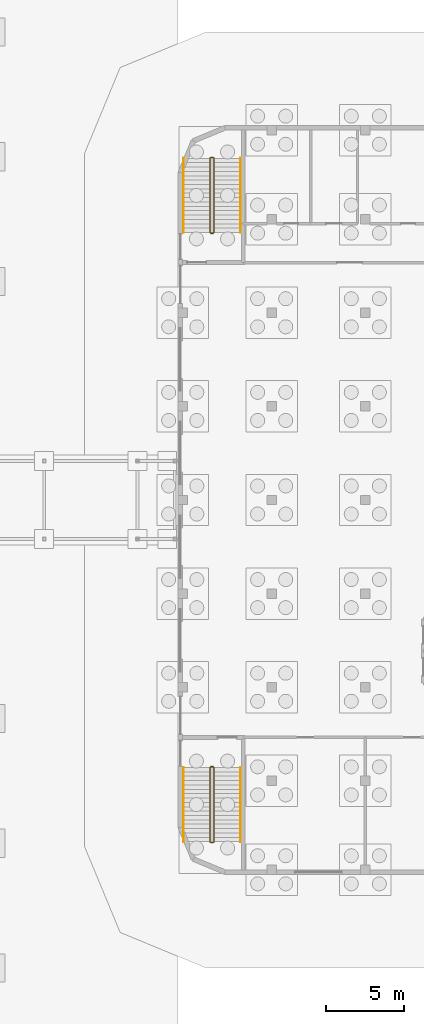
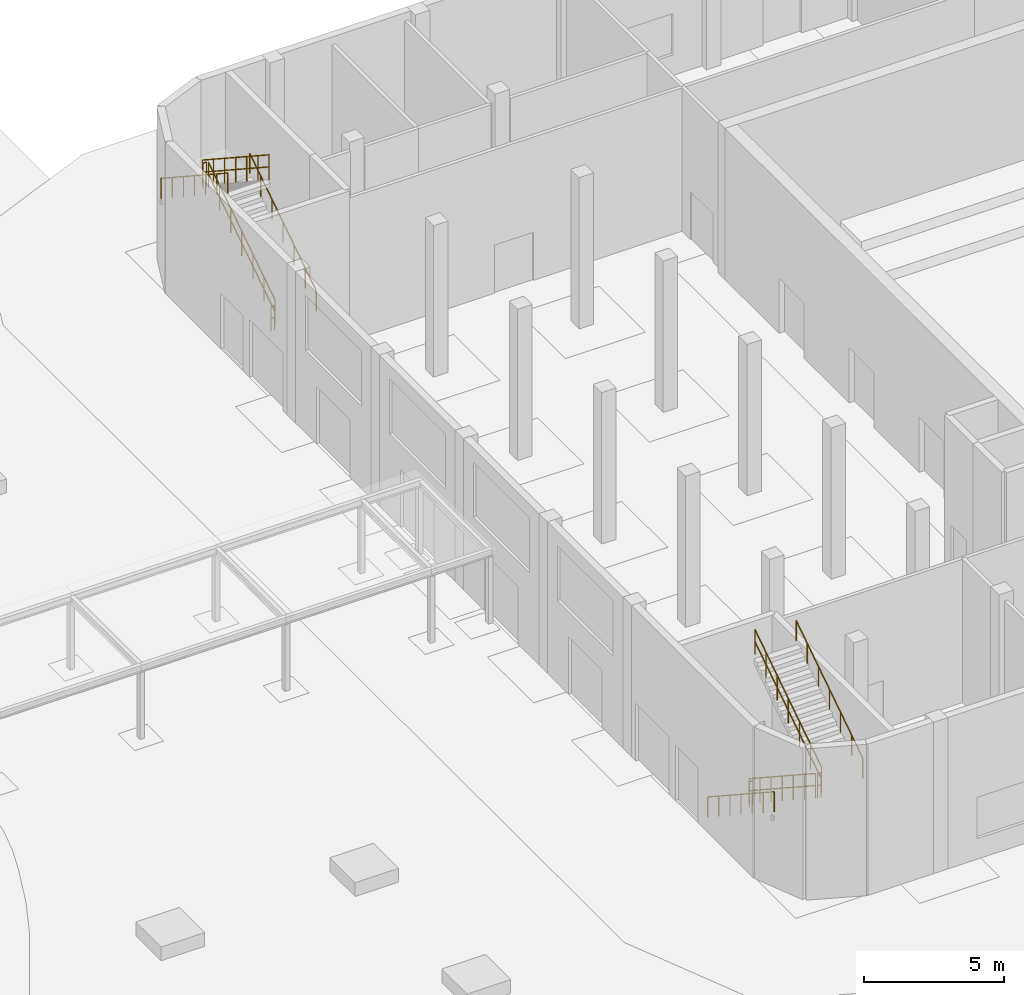
# One storey, part 42 of 44: 12 railings.
"""IFC4 building model written with IfcOpenShell, lengths in metres."""

from ifc_helpers import new_model, si_unit, direction, frame, origin, origin_2d, place, context, subcontext, project, spatial, circle, extrude, material, type_object, element, save


model = new_model("IFC4")

# Units and contexts
model_context = context("Model", 3, precision=1e-05, world=origin(), true_north=direction((0.0, 1.0)))
body_context = subcontext(model_context, "Body", "Model", "MODEL_VIEW")
ifc_project = project(units=[si_unit("LENGTHUNIT", "METRE"), si_unit("AREAUNIT", "SQUARE_METRE"), si_unit("VOLUMEUNIT", "CUBIC_METRE"), si_unit("PLANEANGLEUNIT", "RADIAN"), si_unit("MASSUNIT", "GRAM", prefix="KILO")], contexts=[model_context])

# Site, building, storey
site_placement = place(None, origin())
site = spatial("IfcSite", under=ifc_project, at=site_placement, CompositionType="ELEMENT")
building_placement = place(site_placement, origin())
building = spatial("IfcBuilding", under=site, at=building_placement, Name="Nakaniwa Court", CompositionType="ELEMENT")
storey_placement = place(building_placement, origin())
storey = spatial("IfcBuildingStorey", under=building, at=storey_placement, Name="L00", CompositionType="ELEMENT", Elevation=0.0)

# Railings
ifc_material_1 = material(Name="Black powder-coated steel flat bar balustrade S275", Category="steel")
railing_type_1 = type_object("IfcRailingType", Name="Hall guard 1100", PredefinedType="GUARDRAIL", material=ifc_material_1)
railing_1_placement = place(storey_placement, frame((154.050048828125, 62.860107421875, 0.183349609375)))
element("IfcRailing", 1, at=railing_1_placement, inside=storey, type_object=railing_type_1, Name="L00 ST-H1 stair guard 1", PredefinedType="GUARDRAIL", context=body_context, shape_type="SweptSolid", body=[
    extrude(circle(Radius=0.02392578125, at=origin_2d()), frame((0.0, 0.0, 1.076171875), z_axis=(0.0, -0.836616421643, 0.547789159291), x_axis=(1.0, 0.0, 0.0)), (0.0, 0.0, 1.0), 5.689697265625),
    extrude(circle(Radius=0.02392578125, at=origin_2d()), frame((0.0, 0.0, 0.550048828125), z_axis=(0.0, -0.836616421643, 0.547789159291), x_axis=(1.0, 0.0, 0.0)), (0.0, 0.0, 1.0), 5.689697265625),
    extrude(circle(Radius=0.02099609375, at=origin_2d()), origin(), (0.0, 0.0, 1.0), 1.052001953125),
    extrude(circle(Radius=0.02099609375, at=origin_2d()), frame((0.0, -0.79345703125, 0.51953125)), (0.0, 0.0, 1.0), 1.052001953125),
    extrude(circle(Radius=0.02099609375, at=origin_2d()), frame((0.0, -1.586669921875, 1.038818359375)), (0.0, 0.0, 1.0), 1.052001953125),
    extrude(circle(Radius=0.02099609375, at=origin_2d()), frame((0.0, -2.3798828125, 1.558349609375)), (0.0, 0.0, 1.0), 1.052001953125),
    extrude(circle(Radius=0.02099609375, at=origin_2d()), frame((0.0, -3.17333984375, 2.077880859375)), (0.0, 0.0, 1.0), 1.052001953125),
    extrude(circle(Radius=0.02099609375, at=origin_2d()), frame((0.0, -3.966796875, 2.59716796875)), (0.0, 0.0, 1.0), 1.052001953125),
    extrude(circle(Radius=0.02099609375, at=origin_2d()), frame((0.0, -4.760009765625, 3.11669921875)), (0.0, 0.0, 1.0), 1.052001953125),
])
railing_2_placement = place(storey_placement, frame((154.10009765625, 58.050048828125, 3.300048828125)))
element("IfcRailing", 2, at=railing_2_placement, inside=storey, type_object=railing_type_1, Name="L00 ST-H1 stair guard 2", PredefinedType="GUARDRAIL", context=body_context, shape_type="SweptSolid", body=[
    extrude(circle(Radius=0.02392578125, at=origin_2d()), frame((0.0, 0.0, 1.076171875), z_axis=(1.0, 0.0, 0.0), x_axis=(0.0, 1.0, 0.0)), (0.0, 0.0, 1.0), 0.14990234375),
    extrude(circle(Radius=0.02392578125, at=origin_2d()), frame((0.0, 0.0, 0.550048828125), z_axis=(1.0, 0.0, 0.0), x_axis=(0.0, 1.0, 0.0)), (0.0, 0.0, 1.0), 0.14990234375),
    extrude(circle(Radius=0.02099609375, at=origin_2d()), origin(), (0.0, 0.0, 1.0), 1.052001953125),
    extrude(circle(Radius=0.02099609375, at=origin_2d()), frame((0.14990234375, 0.0, 0.0)), (0.0, 0.0, 1.0), 1.052001953125),
])
railing_3_placement = place(storey_placement, frame((154.300048828125, 58.10009765625, 3.4833984375)))
element("IfcRailing", 3, at=railing_3_placement, inside=storey, type_object=railing_type_1, Name="L00 ST-H1 stair guard 3", PredefinedType="GUARDRAIL", context=body_context, shape_type="SweptSolid", body=[
    extrude(circle(Radius=0.02392578125, at=origin_2d()), frame((0.0, 0.0, 1.076171875), z_axis=(0.0, 0.836616421643, 0.547789159291), x_axis=(-1.0, 0.0, 0.0)), (0.0, 0.0, 1.0), 5.689697265625),
    extrude(circle(Radius=0.02392578125, at=origin_2d()), frame((0.0, 0.0, 0.550048828125), z_axis=(0.0, 0.836616421643, 0.547789159291), x_axis=(-1.0, 0.0, 0.0)), (0.0, 0.0, 1.0), 5.689697265625),
    extrude(circle(Radius=0.02099609375, at=origin_2d()), origin(), (0.0, 0.0, 1.0), 1.052001953125),
    extrude(circle(Radius=0.02099609375, at=origin_2d()), frame((0.0, 0.79345703125, 0.51953125)), (0.0, 0.0, 1.0), 1.052001953125),
    extrude(circle(Radius=0.02099609375, at=origin_2d()), frame((0.0, 1.586669921875, 1.038818359375)), (0.0, 0.0, 1.0), 1.052001953125),
    extrude(circle(Radius=0.02099609375, at=origin_2d()), frame((0.0, 2.3798828125, 1.558349609375)), (0.0, 0.0, 1.0), 1.052001953125),
    extrude(circle(Radius=0.02099609375, at=origin_2d()), frame((0.0, 3.17333984375, 2.077880859375)), (0.0, 0.0, 1.0), 1.052001953125),
    extrude(circle(Radius=0.02099609375, at=origin_2d()), frame((0.0, 3.966796875, 2.59716796875)), (0.0, 0.0, 1.0), 1.052001953125),
    extrude(circle(Radius=0.02099609375, at=origin_2d()), frame((0.0, 4.760009765625, 3.11669921875)), (0.0, 0.0, 1.0), 1.052001953125),
])
railing_4_placement = place(storey_placement, frame((154.10009765625, 62.909912109375, 0.0)))
element("IfcRailing", 4, at=railing_4_placement, inside=storey, type_object=railing_type_1, Name="L00 ST-H1 stair guard 4", PredefinedType="GUARDRAIL", context=body_context, shape_type="SweptSolid", body=[
    extrude(circle(Radius=0.02392578125, at=origin_2d()), frame((0.0, 0.0, 1.076171875), z_axis=(1.0, 0.0, 0.0), x_axis=(0.0, 1.0, 0.0)), (0.0, 0.0, 1.0), 0.14990234375),
    extrude(circle(Radius=0.02392578125, at=origin_2d()), frame((0.0, 0.0, 0.550048828125), z_axis=(1.0, 0.0, 0.0), x_axis=(0.0, 1.0, 0.0)), (0.0, 0.0, 1.0), 0.14990234375),
    extrude(circle(Radius=0.02099609375, at=origin_2d()), origin(), (0.0, 0.0, 1.0), 1.052001953125),
    extrude(circle(Radius=0.02099609375, at=origin_2d()), frame((0.14990234375, 0.0, 0.0)), (0.0, 0.0, 1.0), 1.052001953125),
])
railing_5_placement = place(storey_placement, frame((154.300048828125, 97.139892578125, 0.183349609375)))
element("IfcRailing", 5, at=railing_5_placement, inside=storey, type_object=railing_type_1, Name="L00 ST-H2 stair guard 1", PredefinedType="GUARDRAIL", context=body_context, shape_type="SweptSolid", body=[
    extrude(circle(Radius=0.02392578125, at=origin_2d()), frame((0.0, 0.0, 1.076171875), z_axis=(0.0, 0.836616421643, 0.547789159291), x_axis=(-1.0, 0.0, 0.0)), (0.0, 0.0, 1.0), 5.689697265625),
    extrude(circle(Radius=0.02392578125, at=origin_2d()), frame((0.0, 0.0, 0.550048828125), z_axis=(0.0, 0.836616421643, 0.547789159291), x_axis=(-1.0, 0.0, 0.0)), (0.0, 0.0, 1.0), 5.689697265625),
    extrude(circle(Radius=0.02099609375, at=origin_2d()), origin(), (0.0, 0.0, 1.0), 1.052001953125),
    extrude(circle(Radius=0.02099609375, at=origin_2d()), frame((0.0, 0.79345703125, 0.51953125)), (0.0, 0.0, 1.0), 1.052001953125),
    extrude(circle(Radius=0.02099609375, at=origin_2d()), frame((0.0, 1.586669921875, 1.038818359375)), (0.0, 0.0, 1.0), 1.052001953125),
    extrude(circle(Radius=0.02099609375, at=origin_2d()), frame((0.0, 2.3798828125, 1.558349609375)), (0.0, 0.0, 1.0), 1.052001953125),
    extrude(circle(Radius=0.02099609375, at=origin_2d()), frame((0.0, 3.17333984375, 2.077880859375)), (0.0, 0.0, 1.0), 1.052001953125),
    extrude(circle(Radius=0.02099609375, at=origin_2d()), frame((0.0, 3.966796875, 2.59716796875)), (0.0, 0.0, 1.0), 1.052001953125),
    extrude(circle(Radius=0.02099609375, at=origin_2d()), frame((0.0, 4.760009765625, 3.11669921875)), (0.0, 0.0, 1.0), 1.052001953125),
])
railing_6_placement = place(storey_placement, frame((154.25, 101.949951171875, 3.300048828125)))
element("IfcRailing", 6, at=railing_6_placement, inside=storey, type_object=railing_type_1, Name="L00 ST-H2 stair guard 2", PredefinedType="GUARDRAIL", context=body_context, shape_type="SweptSolid", body=[
    extrude(circle(Radius=0.02392578125, at=origin_2d()), frame((0.0, 0.0, 1.076171875), z_axis=(-1.0, 0.0, 0.0), x_axis=(0.0, -1.0, 0.0)), (0.0, 0.0, 1.0), 0.14990234375),
    extrude(circle(Radius=0.02392578125, at=origin_2d()), frame((0.0, 0.0, 0.550048828125), z_axis=(-1.0, 0.0, 0.0), x_axis=(0.0, -1.0, 0.0)), (0.0, 0.0, 1.0), 0.14990234375),
    extrude(circle(Radius=0.02099609375, at=origin_2d()), origin(), (0.0, 0.0, 1.0), 1.052001953125),
    extrude(circle(Radius=0.02099609375, at=origin_2d()), frame((-0.14990234375, 0.0, 0.0)), (0.0, 0.0, 1.0), 1.052001953125),
])
railing_7_placement = place(storey_placement, frame((154.050048828125, 101.89990234375, 3.4833984375)))
element("IfcRailing", 7, at=railing_7_placement, inside=storey, type_object=railing_type_1, Name="L00 ST-H2 stair guard 3", PredefinedType="GUARDRAIL", context=body_context, shape_type="SweptSolid", body=[
    extrude(circle(Radius=0.02392578125, at=origin_2d()), frame((0.0, 0.0, 1.076171875), z_axis=(0.0, -0.836616421643, 0.547789159291), x_axis=(1.0, 0.0, 0.0)), (0.0, 0.0, 1.0), 5.689697265625),
    extrude(circle(Radius=0.02392578125, at=origin_2d()), frame((0.0, 0.0, 0.550048828125), z_axis=(0.0, -0.836616421643, 0.547789159291), x_axis=(1.0, 0.0, 0.0)), (0.0, 0.0, 1.0), 5.689697265625),
    extrude(circle(Radius=0.02099609375, at=origin_2d()), origin(), (0.0, 0.0, 1.0), 1.052001953125),
    extrude(circle(Radius=0.02099609375, at=origin_2d()), frame((0.0, -0.79345703125, 0.51953125)), (0.0, 0.0, 1.0), 1.052001953125),
    extrude(circle(Radius=0.02099609375, at=origin_2d()), frame((0.0, -1.586669921875, 1.038818359375)), (0.0, 0.0, 1.0), 1.052001953125),
    extrude(circle(Radius=0.02099609375, at=origin_2d()), frame((0.0, -2.3798828125, 1.558349609375)), (0.0, 0.0, 1.0), 1.052001953125),
    extrude(circle(Radius=0.02099609375, at=origin_2d()), frame((0.0, -3.17333984375, 2.077880859375)), (0.0, 0.0, 1.0), 1.052001953125),
    extrude(circle(Radius=0.02099609375, at=origin_2d()), frame((0.0, -3.966796875, 2.59716796875)), (0.0, 0.0, 1.0), 1.052001953125),
    extrude(circle(Radius=0.02099609375, at=origin_2d()), frame((0.0, -4.760009765625, 3.11669921875)), (0.0, 0.0, 1.0), 1.052001953125),
])
railing_8_placement = place(storey_placement, frame((154.25, 97.090087890625, 0.0)))
element("IfcRailing", 8, at=railing_8_placement, inside=storey, type_object=railing_type_1, Name="L00 ST-H2 stair guard 4", PredefinedType="GUARDRAIL", context=body_context, shape_type="SweptSolid", body=[
    extrude(circle(Radius=0.02392578125, at=origin_2d()), frame((0.0, 0.0, 1.076171875), z_axis=(-1.0, 0.0, 0.0), x_axis=(0.0, -1.0, 0.0)), (0.0, 0.0, 1.0), 0.14990234375),
    extrude(circle(Radius=0.02392578125, at=origin_2d()), frame((0.0, 0.0, 0.550048828125), z_axis=(-1.0, 0.0, 0.0), x_axis=(0.0, -1.0, 0.0)), (0.0, 0.0, 1.0), 0.14990234375),
    extrude(circle(Radius=0.02099609375, at=origin_2d()), origin(), (0.0, 0.0, 1.0), 1.052001953125),
    extrude(circle(Radius=0.02099609375, at=origin_2d()), frame((-0.14990234375, 0.0, 0.0)), (0.0, 0.0, 1.0), 1.052001953125),
])
ifc_material_2 = material(Name="Brushed stainless steel handrail Grade 304", Category="steel")
railing_type_2 = type_object("IfcRailingType", Name="Hall stair handrail 900", PredefinedType="HANDRAIL", material=ifc_material_2)
railing_9_placement = place(storey_placement, frame((152.35009765625, 62.860107421875, 0.183349609375)))
element("IfcRailing", 9, at=railing_9_placement, inside=storey, type_object=railing_type_2, Name="L00 ST-H1 stair handrail 1", PredefinedType="HANDRAIL", context=body_context, shape_type="SweptSolid", body=[
    extrude(circle(Radius=0.02392578125, at=origin_2d()), frame((0.0, 0.0, 0.8759765625), z_axis=(0.0, -0.836616421643, 0.547789159291), x_axis=(1.0, 0.0, 0.0)), (0.0, 0.0, 1.0), 5.689697265625),
    extrude(circle(Radius=0.02099609375, at=origin_2d()), origin(), (0.0, 0.0, 1.0), 0.851806640625),
    extrude(circle(Radius=0.02099609375, at=origin_2d()), frame((0.0, -0.79345703125, 0.51953125)), (0.0, 0.0, 1.0), 0.851806640625),
    extrude(circle(Radius=0.02099609375, at=origin_2d()), frame((0.0, -1.586669921875, 1.038818359375)), (0.0, 0.0, 1.0), 0.851806640625),
    extrude(circle(Radius=0.02099609375, at=origin_2d()), frame((0.0, -2.3798828125, 1.558349609375)), (0.0, 0.0, 1.0), 0.851806640625),
    extrude(circle(Radius=0.02099609375, at=origin_2d()), frame((0.0, -3.17333984375, 2.077880859375)), (0.0, 0.0, 1.0), 0.851806640625),
    extrude(circle(Radius=0.02099609375, at=origin_2d()), frame((0.0, -3.966796875, 2.59716796875)), (0.0, 0.0, 1.0), 0.851806640625),
    extrude(circle(Radius=0.02099609375, at=origin_2d()), frame((0.0, -4.760009765625, 3.11669921875)), (0.0, 0.0, 1.0), 0.851806640625),
])
for number, where, name in (
    (10, (156.0, 58.10009765625, 3.4833984375), "L00 ST-H1 stair handrail 2"),
    (11, (156.0, 97.139892578125, 0.183349609375), "L00 ST-H2 stair handrail 1"),
):
    element("IfcRailing", number, at=place(storey_placement, frame(where)), inside=storey, type_object=railing_type_2, Name=name, PredefinedType="HANDRAIL", context=body_context, shape_type="SweptSolid", body=[
        extrude(circle(Radius=0.02392578125, at=origin_2d()), frame((0.0, 0.0, 0.8759765625), z_axis=(0.0, 0.836616421643, 0.547789159291), x_axis=(-1.0, 0.0, 0.0)), (0.0, 0.0, 1.0), 5.689697265625),
        extrude(circle(Radius=0.02099609375, at=origin_2d()), origin(), (0.0, 0.0, 1.0), 0.851806640625),
        extrude(circle(Radius=0.02099609375, at=origin_2d()), frame((0.0, 0.79345703125, 0.51953125)), (0.0, 0.0, 1.0), 0.851806640625),
        extrude(circle(Radius=0.02099609375, at=origin_2d()), frame((0.0, 1.586669921875, 1.038818359375)), (0.0, 0.0, 1.0), 0.851806640625),
        extrude(circle(Radius=0.02099609375, at=origin_2d()), frame((0.0, 2.3798828125, 1.558349609375)), (0.0, 0.0, 1.0), 0.851806640625),
        extrude(circle(Radius=0.02099609375, at=origin_2d()), frame((0.0, 3.17333984375, 2.077880859375)), (0.0, 0.0, 1.0), 0.851806640625),
        extrude(circle(Radius=0.02099609375, at=origin_2d()), frame((0.0, 3.966796875, 2.59716796875)), (0.0, 0.0, 1.0), 0.851806640625),
        extrude(circle(Radius=0.02099609375, at=origin_2d()), frame((0.0, 4.760009765625, 3.11669921875)), (0.0, 0.0, 1.0), 0.851806640625),
    ])
railing_10_placement = place(storey_placement, frame((152.35009765625, 101.89990234375, 3.4833984375)))
element("IfcRailing", 12, at=railing_10_placement, inside=storey, type_object=railing_type_2, Name="L00 ST-H2 stair handrail 2", PredefinedType="HANDRAIL", context=body_context, shape_type="SweptSolid", body=[
    extrude(circle(Radius=0.02392578125, at=origin_2d()), frame((0.0, 0.0, 0.8759765625), z_axis=(0.0, -0.836616421643, 0.547789159291), x_axis=(1.0, 0.0, 0.0)), (0.0, 0.0, 1.0), 5.689697265625),
    extrude(circle(Radius=0.02099609375, at=origin_2d()), origin(), (0.0, 0.0, 1.0), 0.851806640625),
    extrude(circle(Radius=0.02099609375, at=origin_2d()), frame((0.0, -0.79345703125, 0.51953125)), (0.0, 0.0, 1.0), 0.851806640625),
    extrude(circle(Radius=0.02099609375, at=origin_2d()), frame((0.0, -1.586669921875, 1.038818359375)), (0.0, 0.0, 1.0), 0.851806640625),
    extrude(circle(Radius=0.02099609375, at=origin_2d()), frame((0.0, -2.3798828125, 1.558349609375)), (0.0, 0.0, 1.0), 0.851806640625),
    extrude(circle(Radius=0.02099609375, at=origin_2d()), frame((0.0, -3.17333984375, 2.077880859375)), (0.0, 0.0, 1.0), 0.851806640625),
    extrude(circle(Radius=0.02099609375, at=origin_2d()), frame((0.0, -3.966796875, 2.59716796875)), (0.0, 0.0, 1.0), 0.851806640625),
    extrude(circle(Radius=0.02099609375, at=origin_2d()), frame((0.0, -4.760009765625, 3.11669921875)), (0.0, 0.0, 1.0), 0.851806640625),
])

save(model, "model.ifc")
